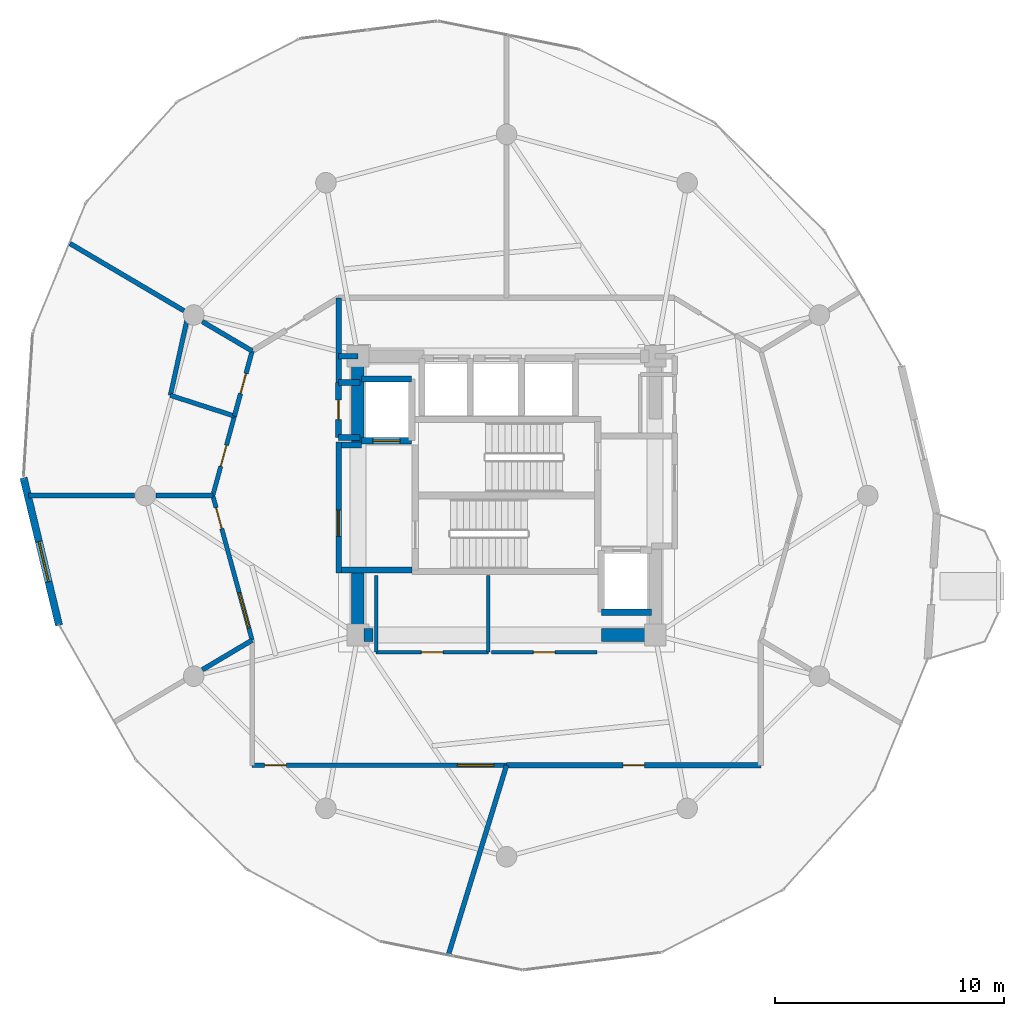
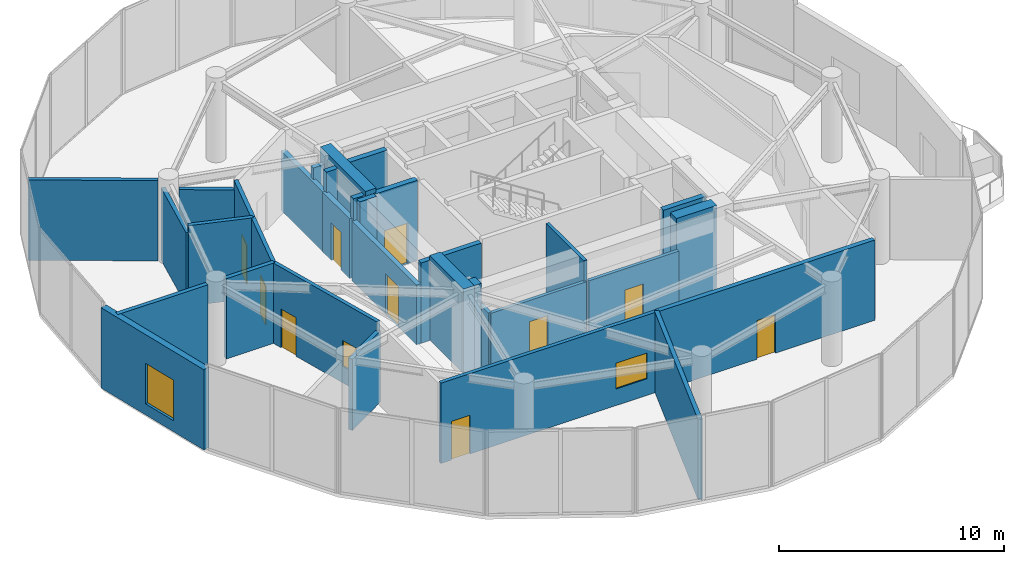
# One storey, part 19 of 23: 33 walls, 10 doors, 3 windows, 13 openings.
"""IFC4 building model written with IfcOpenShell, lengths in metres."""

from ifc_helpers import new_model, si_unit, direction, frame, frame_2d, origin, place, context, subcontext, project, spatial, rectangle, extrude, material, layer, layer_set, type_object, element, fill, save


model = new_model("IFC4")

# Units and contexts
model_context = context("Model", 3, precision=1e-05, world=origin(), true_north=direction((0.0, 1.0)))
body_context = subcontext(model_context, "Body", "Model", "MODEL_VIEW")
ifc_project = project(units=[si_unit("LENGTHUNIT", "METRE"), si_unit("AREAUNIT", "SQUARE_METRE"), si_unit("VOLUMEUNIT", "CUBIC_METRE"), si_unit("PLANEANGLEUNIT", "RADIAN"), si_unit("MASSUNIT", "GRAM", prefix="KILO")], contexts=[model_context])

# Site, building, storey
site_placement = place(None, origin())
site = spatial("IfcSite", under=ifc_project, at=site_placement, CompositionType="ELEMENT")
building_placement = place(site_placement, origin())
building = spatial("IfcBuilding", under=site, at=building_placement, Name="Solvirekh Grand Hotel", CompositionType="ELEMENT")
storey_placement = place(building_placement, frame((0.0, 0.0, 168.60009765625)))
storey = spatial("IfcBuildingStorey", under=building, at=storey_placement, Name="L43", CompositionType="ELEMENT", Elevation=168.60009765625)

# Wall, opening, door
ifc_material_1 = material(Name="Concrete C40/50", Category="concrete")
ifc_layer_1 = layer(ifc_material_1, 0.280029296875)
ifc_layer_set_1 = layer_set([ifc_layer_1], Name="Concrete C40/50")
wall_type_1 = type_object("IfcWallType", Name="CoreShaftWall_RC280", PredefinedType="SOLIDWALL", material=ifc_layer_set_1)
wall_1_placement = place(storey_placement, frame((-6.35009765625, 2.39990234375, 0.0), z_axis=(0.0, 0.0, 1.0), x_axis=(1.0, 0.0, 0.0)))
wall_1 = element("IfcWall", 1, at=wall_1_placement, inside=storey, type_object=wall_type_1, Name="L43 FL-1 hoistway S wall", PredefinedType="SOLIDWALL", context=body_context, shape_type="SweptSolid", body=[
    extrude(rectangle(XDim=2.2001953125, YDim=0.280029296875, at=frame_2d((1.10009765625, 0.0))), origin(), (0.0, 0.0, 1.0), 4.35986328125),
])
opening_1_placement = place(wall_1_placement, frame((0.5, 0.0, 0.0)))
opening_1 = element("IfcOpeningElement", 2, at=opening_1_placement, cuts=wall_1, Name="Opening LD02", PredefinedType="OPENING", context=body_context, shape_type="SweptSolid", body=[
    extrude(rectangle(XDim=1.199951171875, YDim=2.199951171875, at=frame_2d((0.60009765625, 1.10009765625))), frame((0.0, 0.14990234375, 0.0), z_axis=(0.0, -1.0, 0.0), x_axis=(1.0, 0.0, 0.0)), (0.0, 0.0, 1.0), 0.300048828125),
])
ifc_material_2 = material(Name="Fire-Rated Steel Door Assembly", Category="steel")
door_type_1 = type_object("IfcDoorType", Name="Door_LiftFF_1200X2200", OperationType="SLIDING_TO_LEFT", PredefinedType="DOOR", material=ifc_material_2)
door_1_placement = place(opening_1_placement, origin())
door_1 = element("IfcDoor", 3, at=door_1_placement, inside=storey, type_object=door_type_1, Name="L43 FL-1 sliding lift landing door", OperationType="SLIDING_TO_LEFT", OverallHeight=2.199951171875, OverallWidth=1.199951171875, PredefinedType="DOOR", context=body_context, shape_type="SweptSolid", body=[
    extrude(rectangle(XDim=1.199951171875, YDim=2.199951171875, at=frame_2d((0.60009765625, 1.10009765625))), frame((0.0, 0.02490234375, 0.0), z_axis=(0.0, -1.0, 0.0), x_axis=(1.0, 0.0, 0.0)), (0.0, 0.0, 1.0), 0.050048828125),
])
fill(opening_1, door_1)

# Walls
for number, where, z_axis, x_axis, name in (
    (4, (-4.14990234375, 5.10009765625, 0.0), (0.0, 0.0, 1.0), (-1.0, 0.0, 0.0), "L43 FL-1 hoistway N wall"),
    (5, (4.14990234375, -5.10009765625, 0.0), (0.0, 0.0, 1.0), (1.0, 0.0, 0.0), "L43 FL-2 hoistway S wall"),
):
    element("IfcWall", number, at=place(storey_placement, frame(where, z_axis=z_axis, x_axis=x_axis)), inside=storey, type_object=wall_type_1, Name=name, PredefinedType="SOLIDWALL", context=body_context, shape_type="SweptSolid", body=[
        extrude(rectangle(XDim=2.2001953125, YDim=0.280029296875, at=frame_2d((1.10009765625, 0.0))), origin(), (0.0, 0.0, 1.0), 4.35986328125),
    ])
ifc_material_3 = material(Name="Concrete C50/60", Category="concrete")
ifc_layer_2 = layer(ifc_material_3, 0.550048828125)
ifc_layer_set_2 = layer_set([ifc_layer_2], Name="Concrete C50/60")
wall_type_2 = type_object("IfcWallType", Name="CoreWall_RC550", PredefinedType="SHEAR", material=ifc_layer_set_2)
wall_2_placement = place(storey_placement, frame((-6.22509765625, -6.10009765625, 0.0), z_axis=(0.0, 0.0, 1.0), x_axis=(1.0, 0.0, 0.0)))
element("IfcWall", 6, at=wall_2_placement, inside=storey, type_object=wall_type_2, Name="L43 core corner shear wall SW-S", PredefinedType="SHEAR", context=body_context, shape_type="SweptSolid", body=[
    extrude(rectangle(XDim=0.375, YDim=0.550048828125, at=frame_2d((0.1875, 0.0))), origin(), (0.0, 0.0, 1.0), 4.599853515625),
])
wall_3_placement = place(storey_placement, frame((4.14990234375, -6.10009765625, 0.0), z_axis=(0.0, 0.0, 1.0), x_axis=(1.0, 0.0, 0.0)))
element("IfcWall", 7, at=wall_3_placement, inside=storey, type_object=wall_type_2, Name="L43 core corner shear wall SE-S", PredefinedType="SHEAR", context=body_context, shape_type="SweptSolid", body=[
    extrude(rectangle(XDim=2.0751953125, YDim=0.550048828125, at=frame_2d((1.03759765625, 0.0))), origin(), (0.0, 0.0, 1.0), 4.599853515625),
])
wall_4_placement = place(storey_placement, frame((-6.5, 2.35009765625, 0.0), z_axis=(0.0, 0.0, 1.0), x_axis=(0.0, 1.0, 0.0)))
element("IfcWall", 8, at=wall_4_placement, inside=storey, type_object=wall_type_2, Name="L43 core corner shear wall WN-W", PredefinedType="SHEAR", context=body_context, shape_type="SweptSolid", body=[
    extrude(rectangle(XDim=4.02490234375, YDim=0.550048828125, at=frame_2d((2.012451171875, 0.0))), origin(), (0.0, 0.0, 1.0), 4.599853515625),
])
wall_5_placement = place(storey_placement, frame((-6.5, -6.375, 0.0), z_axis=(0.0, 0.0, 1.0), x_axis=(0.0, 1.0, 0.0)))
element("IfcWall", 9, at=wall_5_placement, inside=storey, type_object=wall_type_2, Name="L43 core corner shear wall WS-W", PredefinedType="SHEAR", context=body_context, shape_type="SweptSolid", body=[
    extrude(rectangle(XDim=3.02490234375, YDim=0.550048828125, at=frame_2d((1.512451171875, 0.0))), origin(), (0.0, 0.0, 1.0), 4.599853515625),
])

# Wall, opening, window
ifc_material_4 = material(Name="Precast concrete C45/55", Category="concrete")
ifc_layer_3 = layer(ifc_material_4, 0.320068359375)
ifc_layer_set_3 = layer_set([ifc_layer_3], Name="Precast concrete C45/55")
wall_type_3 = type_object("IfcWallType", Name="ExtLobbyWall_RC320", PredefinedType="SOLIDWALL", material=ifc_layer_set_3)
wall_6_placement = place(storey_placement, frame((-19.575927734375, -5.675048828125, 0.0), z_axis=(0.0, 0.0, 1.0), x_axis=(-0.23383620468, 0.972276004734, 0.0)))
wall_6 = element("IfcWall", 10, at=wall_6_placement, inside=storey, type_object=wall_type_3, Name="L43 exterior structural wall chord 14", PredefinedType="SOLIDWALL", context=body_context, shape_type="SweptSolid", body=[
    extrude(rectangle(XDim=6.63720703125, YDim=0.320068359375, at=frame_2d((3.318603515625, 0.0))), origin(), (0.0, 0.0, 1.0), 4.35986328125),
])
opening_2_placement = place(wall_6_placement, frame((1.964111328125, 0.0, 0.60009765625)))
opening_2 = element("IfcOpeningElement", 11, at=opening_2_placement, cuts=wall_6, Name="Opening SK02", PredefinedType="OPENING", context=body_context, shape_type="SweptSolid", body=[
    extrude(rectangle(XDim=1.800048828125, YDim=2.199951171875, at=frame_2d((0.89990234375, 1.10009765625))), frame((0.0, 0.169921875, 0.0), z_axis=(0.0, -1.0, 0.0), x_axis=(1.0, 0.0, 0.0)), (0.0, 0.0, 1.0), 0.340087890625),
])
ifc_material_5 = material(Name="Champagne Low-Iron Crown Laminated Glass", Category="glass")
window_type_1 = type_object("IfcWindowType", Name="Skylight_Pod_1800X2200", PartitioningType="SINGLE_PANEL", PredefinedType="SKYLIGHT", material=ifc_material_5)
window_1_placement = place(opening_2_placement, origin())
window_1 = element("IfcWindow", 12, at=window_1_placement, inside=storey, type_object=window_type_1, Name="L43 high-level clerestory skylight 14", OverallHeight=2.199951171875, OverallWidth=1.800048828125, PartitioningType="SINGLE_PANEL", PredefinedType="SKYLIGHT", context=body_context, shape_type="SweptSolid", body=[
    extrude(rectangle(XDim=1.800048828125, YDim=2.199951171875, at=frame_2d((0.89990234375, 1.10009765625))), frame((0.0, 0.030029296875, 0.0), z_axis=(0.0, -1.0, 0.0), x_axis=(1.0, 0.0, 0.0)), (0.0, 0.0, 1.0), 0.06005859375),
])
fill(opening_2, window_1)

# Wall, opening, door
ifc_material_6 = material(Name="Acoustic Gypsum Partition Assembly")
ifc_layer_4 = layer(ifc_material_6, 0.1650390625)
ifc_layer_set_4 = layer_set([ifc_layer_4], Name="Acoustic Gypsum Partition Assembly")
wall_type_4 = type_object("IfcWallType", Name="Part_BOH_165", PredefinedType="PARTITIONING", material=ifc_layer_set_4)
wall_7_placement = place(storey_placement, frame((-5.699951171875, -6.85009765625, 0.0), z_axis=(0.0, 0.0, 1.0), x_axis=(1.0, 0.0, 0.0)))
wall_7 = element("IfcWall", 13, at=wall_7_placement, inside=storey, type_object=wall_type_4, Name="L43 High-Zone Housekeeping Linen Room wall 1", PredefinedType="PARTITIONING", context=body_context, shape_type="SweptSolid", body=[
    extrude(rectangle(XDim=4.89990234375, YDim=0.1650390625, at=frame_2d((2.449951171875, 0.0))), origin(), (0.0, 0.0, 1.0), 3.244873046875),
])
opening_3_placement = place(wall_7_placement, frame((1.97509765625, 0.0, 0.0)))
opening_3 = element("IfcOpeningElement", 14, at=opening_3_placement, cuts=wall_7, Name="Opening D10", PredefinedType="OPENING", context=body_context, shape_type="SweptSolid", body=[
    extrude(rectangle(XDim=0.949951171875, YDim=2.10009765625, at=frame_2d((0.47509765625, 1.050048828125))), frame((0.0, 0.092529296875, 0.0), z_axis=(0.0, -1.0, 0.0), x_axis=(1.0, 0.0, 0.0)), (0.0, 0.0, 1.0), 0.18505859375),
])
ifc_material_7 = material(Name="Anodized Bronze Aluminium 6063-T6", Category="aluminium")
door_type_2 = type_object("IfcDoorType", Name="Door_RoomInt_950X2100", OperationType="NOTDEFINED", PredefinedType="DOOR", material=ifc_material_7)
door_2_placement = place(opening_3_placement, origin())
door_2 = element("IfcDoor", 15, at=door_2_placement, inside=storey, type_object=door_type_2, Name="L43 High-Zone Housekeeping Linen Room door", OperationType="SINGLE_SWING_LEFT", OverallHeight=2.10009765625, OverallWidth=0.949951171875, PredefinedType="DOOR", context=body_context, shape_type="SweptSolid", body=[
    extrude(rectangle(XDim=0.949951171875, YDim=2.10009765625, at=frame_2d((0.47509765625, 1.050048828125))), frame((0.0, 0.02490234375, 0.0), z_axis=(0.0, -1.0, 0.0), x_axis=(1.0, 0.0, 0.0)), (0.0, 0.0, 1.0), 0.050048828125),
])
fill(opening_3, door_2)

# Walls
wall_8_placement = place(storey_placement, frame((-0.800048828125, -6.85009765625, 0.0), z_axis=(0.0, 0.0, 1.0), x_axis=(0.0, 1.0, 0.0)))
element("IfcWall", 16, at=wall_8_placement, inside=storey, type_object=wall_type_4, Name="L43 High-Zone Housekeeping Linen Room wall 2", PredefinedType="PARTITIONING", context=body_context, shape_type="SweptSolid", body=[
    extrude(rectangle(XDim=3.35009765625, YDim=0.1650390625, at=frame_2d((1.675048828125, 0.0))), origin(), (0.0, 0.0, 1.0), 4.35986328125),
])
wall_9_placement = place(storey_placement, frame((-5.699951171875, -3.5, 0.0), z_axis=(0.0, 0.0, 1.0), x_axis=(0.0, -1.0, 0.0)))
element("IfcWall", 17, at=wall_9_placement, inside=storey, type_object=wall_type_4, Name="L43 High-Zone Housekeeping Linen Room wall 4", PredefinedType="PARTITIONING", context=body_context, shape_type="SweptSolid", body=[
    extrude(rectangle(XDim=3.35009765625, YDim=0.1650390625, at=frame_2d((1.675048828125, 0.0))), origin(), (0.0, 0.0, 1.0), 3.244873046875),
])

# Wall, opening, door
wall_10_placement = place(storey_placement, frame((-0.64990234375, -6.85009765625, 0.0), z_axis=(0.0, 0.0, 1.0), x_axis=(1.0, 0.0, 0.0)))
wall_10 = element("IfcWall", 18, at=wall_10_placement, inside=storey, type_object=wall_type_4, Name="L43 Butler Valet Steward Room wall 1", PredefinedType="PARTITIONING", context=body_context, shape_type="SweptSolid", body=[
    extrude(rectangle(XDim=4.599853515625, YDim=0.1650390625, at=frame_2d((2.2998046875, 0.0))), origin(), (0.0, 0.0, 1.0), 3.244873046875),
])
opening_4_placement = place(wall_10_placement, frame((1.824951171875, 0.0, 0.0)))
opening_4 = element("IfcOpeningElement", 19, at=opening_4_placement, cuts=wall_10, Name="Opening D10", PredefinedType="OPENING", context=body_context, shape_type="SweptSolid", body=[
    extrude(rectangle(XDim=0.949951171875, YDim=2.10009765625, at=frame_2d((0.47509765625, 1.050048828125))), frame((0.0, 0.092529296875, 0.0), z_axis=(0.0, -1.0, 0.0), x_axis=(1.0, 0.0, 0.0)), (0.0, 0.0, 1.0), 0.18505859375),
])
door_3_placement = place(opening_4_placement, origin())
door_3 = element("IfcDoor", 20, at=door_3_placement, inside=storey, type_object=door_type_2, Name="L43 Butler Valet Steward Room door", OperationType="SINGLE_SWING_RIGHT", OverallHeight=2.10009765625, OverallWidth=0.949951171875, PredefinedType="DOOR", context=body_context, shape_type="SweptSolid", body=[
    extrude(rectangle(XDim=0.949951171875, YDim=2.10009765625, at=frame_2d((0.47509765625, 1.050048828125))), frame((0.0, 0.02490234375, 0.0), z_axis=(0.0, -1.0, 0.0), x_axis=(1.0, 0.0, 0.0)), (0.0, 0.0, 1.0), 0.050048828125),
])
fill(opening_4, door_3)

ifc_layer_5 = layer(ifc_material_6, 0.239990234375)
ifc_layer_set_5 = layer_set([ifc_layer_5], Name="Acoustic Gypsum Partition Assembly")
wall_type_5 = type_object("IfcWallType", Name="Part_Corridor_240", PredefinedType="PARTITIONING", material=ifc_layer_set_5)
wall_11_placement = place(storey_placement, frame((-7.35009765625, -3.3798828125, 0.0), z_axis=(0.0, 0.0, 1.0), x_axis=(0.0, 1.0, 0.0)))
wall_11 = element("IfcWall", 21, at=wall_11_placement, inside=storey, type_object=wall_type_5, Name="L43 west firefighting lobby smoke screen wall", PredefinedType="PARTITIONING", context=body_context, shape_type="SweptSolid", body=[
    extrude(rectangle(XDim=5.719970703125, YDim=0.239990234375, at=frame_2d((2.85986328125, 0.0))), origin(), (0.0, 0.0, 1.0), 3.244873046875),
])
opening_5_placement = place(wall_11_placement, frame((1.59912109375, 0.0, 0.0)))
opening_5 = element("IfcOpeningElement", 22, at=opening_5_placement, cuts=wall_11, Name="Opening D06", PredefinedType="OPENING", context=body_context, shape_type="SweptSolid", body=[
    extrude(rectangle(XDim=1.14990234375, YDim=2.199951171875, at=frame_2d((0.574951171875, 1.10009765625))), frame((0.0, 0.1298828125, 0.0), z_axis=(0.0, -1.0, 0.0), x_axis=(1.0, 0.0, 0.0)), (0.0, 0.0, 1.0), 0.260009765625),
])
door_type_3 = type_object("IfcDoorType", Name="Door_FFLobby_1150X2200", OperationType="NOTDEFINED", PredefinedType="DOOR", material=ifc_material_2)
door_4_placement = place(opening_5_placement, origin())
door_4 = element("IfcDoor", 23, at=door_4_placement, inside=storey, type_object=door_type_3, Name="L43 west firefighting lobby smoke door", OperationType="SINGLE_SWING_LEFT", OverallHeight=2.199951171875, OverallWidth=1.14990234375, PredefinedType="DOOR", context=body_context, shape_type="SweptSolid", body=[
    extrude(rectangle(XDim=1.14990234375, YDim=2.199951171875, at=frame_2d((0.574951171875, 1.10009765625))), frame((0.0, 0.02490234375, 0.0), z_axis=(0.0, -1.0, 0.0), x_axis=(1.0, 0.0, 0.0)), (0.0, 0.0, 1.0), 0.050048828125),
])
fill(opening_5, door_4)

# Walls
wall_12_placement = place(storey_placement, frame((-7.35009765625, 4.949951171875, 0.0), z_axis=(0.0, 0.0, 1.0), x_axis=(0.0, 1.0, 0.0)))
element("IfcWall", 24, at=wall_12_placement, inside=storey, type_object=wall_type_5, Name="L43 north lift lobby west wall", PredefinedType="PARTITIONING", context=body_context, shape_type="SweptSolid", body=[
    extrude(rectangle(XDim=3.699951171875, YDim=0.239990234375, at=frame_2d((1.85009765625, 0.0))), origin(), (0.0, 0.0, 1.0), 3.244873046875),
])
wall_13_placement = place(storey_placement, frame((-7.35009765625, 6.10009765625, 0.0), z_axis=(0.0, 0.0, 1.0), x_axis=(1.0, 0.0, 0.0)))
element("IfcWall", 25, at=wall_13_placement, inside=storey, type_object=wall_type_5, Name="L43 NW core corner closure wall", PredefinedType="PARTITIONING", context=body_context, shape_type="SweptSolid", body=[
    extrude(rectangle(XDim=0.85009765625, YDim=0.239990234375, at=frame_2d((0.425048828125, 0.0))), origin(), (0.0, 0.0, 1.0), 3.876953125),
])

# Wall, opening, door
wall_14_placement = place(storey_placement, frame((0.0, -11.800048828125, 0.0), z_axis=(0.0, 0.0, 1.0), x_axis=(1.0, 0.0, 0.0)))
wall_14 = element("IfcWall", 26, at=wall_14_placement, inside=storey, type_object=wall_type_5, Name="L43 L43 Butler Valet & Linen Steward Room corridor wall", PredefinedType="PARTITIONING", context=body_context, shape_type="SweptSolid", body=[
    extrude(rectangle(XDim=11.1279296875, YDim=0.239990234375, at=frame_2d((5.56396484375, 0.0))), origin(), (0.0, 0.0, 1.0), 4.35986328125),
])
opening_6_placement = place(wall_14_placement, frame((5.089111328125, 0.0, 0.0)))
opening_6 = element("IfcOpeningElement", 27, at=opening_6_placement, cuts=wall_14, Name="Opening D10", PredefinedType="OPENING", context=body_context, shape_type="SweptSolid", body=[
    extrude(rectangle(XDim=0.949951171875, YDim=2.10009765625, at=frame_2d((0.47509765625, 1.050048828125))), frame((0.0, 0.1298828125, 0.0), z_axis=(0.0, -1.0, 0.0), x_axis=(1.0, 0.0, 0.0)), (0.0, 0.0, 1.0), 0.260009765625),
])
door_5_placement = place(opening_6_placement, origin())
door_5 = element("IfcDoor", 28, at=door_5_placement, inside=storey, type_object=door_type_2, Name="L43 L43 Butler Valet & Linen Steward Room entrance door", OperationType="SINGLE_SWING_RIGHT", OverallHeight=2.10009765625, OverallWidth=0.949951171875, PredefinedType="DOOR", context=body_context, shape_type="SweptSolid", body=[
    extrude(rectangle(XDim=0.949951171875, YDim=2.10009765625, at=frame_2d((0.47509765625, 1.050048828125))), frame((0.0, 0.02490234375, 0.0), z_axis=(0.0, -1.0, 0.0), x_axis=(1.0, 0.0, 0.0)), (0.0, 0.0, 1.0), 0.050048828125),
])
fill(opening_6, door_5)

ifc_layer_6 = layer(ifc_material_6, 0.18994140625)
ifc_layer_set_6 = layer_set([ifc_layer_6], Name="Acoustic Gypsum Partition Assembly")
wall_type_6 = type_object("IfcWallType", Name="Part_GuestDemise_190", PredefinedType="PARTITIONING", material=ifc_layer_set_6)
wall_15_placement = place(storey_placement, frame((-11.903076171875, 3.47900390625, 0.0), z_axis=(0.0, 0.0, 1.0), x_axis=(-0.262653290471, -0.964890278221, 0.0)))
wall_15 = element("IfcWall", 29, at=wall_15_placement, inside=storey, type_object=wall_type_6, Name="L43 Upper Sky Cloakroom Salon corridor wall", PredefinedType="PARTITIONING", context=body_context, shape_type="SweptSolid", body=[
    extrude(rectangle(XDim=3.605712890625, YDim=0.18994140625, at=frame_2d((1.802734375, 0.0))), origin(), (0.0, 0.0, 1.0), 4.35986328125),
])
opening_7_placement = place(wall_15_placement, frame((1.327880859375, 0.0, 0.0)))
opening_7 = element("IfcOpeningElement", 30, at=opening_7_placement, cuts=wall_15, Name="Opening D10", PredefinedType="OPENING", context=body_context, shape_type="SweptSolid", body=[
    extrude(rectangle(XDim=0.949951171875, YDim=2.10009765625, at=frame_2d((0.47509765625, 1.050048828125))), frame((0.0, 0.10498046875, 0.0), z_axis=(0.0, -1.0, 0.0), x_axis=(1.0, 0.0, 0.0)), (0.0, 0.0, 1.0), 0.2099609375),
])
door_6_placement = place(opening_7_placement, origin())
door_6 = element("IfcDoor", 31, at=door_6_placement, inside=storey, type_object=door_type_2, Name="L43 Upper Sky Cloakroom Salon entrance door", OperationType="SINGLE_SWING_RIGHT", OverallHeight=2.10009765625, OverallWidth=0.949951171875, PredefinedType="DOOR", context=body_context, shape_type="SweptSolid", body=[
    extrude(rectangle(XDim=0.949951171875, YDim=2.10009765625, at=frame_2d((0.47509765625, 1.050048828125))), frame((0.0, 0.02490234375, 0.0), z_axis=(0.0, -1.0, 0.0), x_axis=(1.0, 0.0, 0.0)), (0.0, 0.0, 1.0), 0.050048828125),
])
fill(opening_7, door_6)

# Wall, openings, door, window
wall_16_placement = place(storey_placement, frame((-12.85009765625, 0.0, 0.0), z_axis=(0.0, 0.0, 1.0), x_axis=(0.262717156474, -0.964872890952, 0.0)))
wall_16 = element("IfcWall", 32, at=wall_16_placement, inside=storey, type_object=wall_type_6, Name="L43 High-Zone Library & Cigar Salon corridor wall", PredefinedType="PARTITIONING", context=body_context, shape_type="SweptSolid", body=[
    extrude(rectangle(XDim=6.55517578125, YDim=0.18994140625, at=frame_2d((3.277587890625, 0.0))), origin(), (0.0, 0.0, 1.0), 4.35986328125),
])
opening_8_placement = place(wall_16_placement, frame((0.550048828125, 0.0, 0.0)))
opening_8 = element("IfcOpeningElement", 33, at=opening_8_placement, cuts=wall_16, Name="Opening D10", PredefinedType="OPENING", context=body_context, shape_type="SweptSolid", body=[
    extrude(rectangle(XDim=0.949951171875, YDim=2.10009765625, at=frame_2d((0.47509765625, 1.050048828125))), frame((0.0, 0.10498046875, 0.0), z_axis=(0.0, -1.0, 0.0), x_axis=(1.0, 0.0, 0.0)), (0.0, 0.0, 1.0), 0.2099609375),
])
opening_9_placement = place(wall_16_placement, frame((4.405029296875, 0.0, 0.89990234375)))
opening_9 = element("IfcOpeningElement", 34, at=opening_9_placement, cuts=wall_16, Name="Opening W04", PredefinedType="OPENING", context=body_context, shape_type="SweptSolid", body=[
    extrude(rectangle(XDim=1.60009765625, YDim=1.39990234375, at=frame_2d((0.800048828125, 0.699951171875))), frame((0.0, 0.10498046875, 0.0), z_axis=(0.0, -1.0, 0.0), x_axis=(1.0, 0.0, 0.0)), (0.0, 0.0, 1.0), 0.2099609375),
])
door_7_placement = place(opening_8_placement, origin())
door_7 = element("IfcDoor", 35, at=door_7_placement, inside=storey, type_object=door_type_2, Name="L43 High-Zone Library & Cigar Salon entrance door", OperationType="SINGLE_SWING_LEFT", OverallHeight=2.10009765625, OverallWidth=0.949951171875, PredefinedType="DOOR", context=body_context, shape_type="SweptSolid", body=[
    extrude(rectangle(XDim=0.949951171875, YDim=2.10009765625, at=frame_2d((0.47509765625, 1.050048828125))), frame((0.0, 0.02490234375, 0.0), z_axis=(0.0, -1.0, 0.0), x_axis=(1.0, 0.0, 0.0)), (0.0, 0.0, 1.0), 0.050048828125),
])
fill(opening_8, door_7)
ifc_material_8 = material(Name="Fire-Rated Ceramic Glazing", Category="glass")
window_type_2 = type_object("IfcWindowType", Name="Win_ConfInt_1600X1400", PartitioningType="SINGLE_PANEL", PredefinedType="WINDOW", material=ifc_material_8)
window_2_placement = place(opening_9_placement, origin())
window_2 = element("IfcWindow", 36, at=window_2_placement, inside=storey, type_object=window_type_2, Name="L43 High-Zone Library & Cigar Salon interior glazed screen", OverallHeight=1.39990234375, OverallWidth=1.60009765625, PartitioningType="SINGLE_PANEL", PredefinedType="WINDOW", context=body_context, shape_type="SweptSolid", body=[
    extrude(rectangle(XDim=1.60009765625, YDim=1.39990234375, at=frame_2d((0.800048828125, 0.699951171875))), frame((0.0, 0.030029296875, 0.0), z_axis=(0.0, -1.0, 0.0), x_axis=(1.0, 0.0, 0.0)), (0.0, 0.0, 1.0), 0.06005859375),
])
fill(opening_9, window_2)

wall_17_placement = place(storey_placement, frame((-11.1279296875, -11.800048828125, 0.0), z_axis=(0.0, 0.0, 1.0), x_axis=(1.0, 0.0, 0.0)))
wall_17 = element("IfcWall", 37, at=wall_17_placement, inside=storey, type_object=wall_type_6, Name="L43 L43 Panoramic Belvedere Salon corridor wall", PredefinedType="PARTITIONING", context=body_context, shape_type="SweptSolid", body=[
    extrude(rectangle(XDim=11.1279296875, YDim=0.18994140625, at=frame_2d((5.56396484375, 0.0))), origin(), (0.0, 0.0, 1.0), 4.35986328125),
])
opening_10_placement = place(wall_17_placement, frame((0.550048828125, 0.0, 0.0)))
opening_10 = element("IfcOpeningElement", 38, at=opening_10_placement, cuts=wall_17, Name="Opening D10", PredefinedType="OPENING", context=body_context, shape_type="SweptSolid", body=[
    extrude(rectangle(XDim=0.949951171875, YDim=2.10009765625, at=frame_2d((0.47509765625, 1.050048828125))), frame((0.0, 0.10498046875, 0.0), z_axis=(0.0, -1.0, 0.0), x_axis=(1.0, 0.0, 0.0)), (0.0, 0.0, 1.0), 0.2099609375),
])
opening_11_placement = place(wall_17_placement, frame((8.97802734375, 0.0, 0.89990234375)))
opening_11 = element("IfcOpeningElement", 39, at=opening_11_placement, cuts=wall_17, Name="Opening W04", PredefinedType="OPENING", context=body_context, shape_type="SweptSolid", body=[
    extrude(rectangle(XDim=1.60009765625, YDim=1.39990234375, at=frame_2d((0.800048828125, 0.699951171875))), frame((0.0, 0.10498046875, 0.0), z_axis=(0.0, -1.0, 0.0), x_axis=(1.0, 0.0, 0.0)), (0.0, 0.0, 1.0), 0.2099609375),
])
door_8_placement = place(opening_10_placement, origin())
door_8 = element("IfcDoor", 40, at=door_8_placement, inside=storey, type_object=door_type_2, Name="L43 L43 Panoramic Belvedere Salon entrance door", OperationType="SINGLE_SWING_LEFT", OverallHeight=2.10009765625, OverallWidth=0.949951171875, PredefinedType="DOOR", context=body_context, shape_type="SweptSolid", body=[
    extrude(rectangle(XDim=0.949951171875, YDim=2.10009765625, at=frame_2d((0.47509765625, 1.050048828125))), frame((0.0, 0.02490234375, 0.0), z_axis=(0.0, -1.0, 0.0), x_axis=(1.0, 0.0, 0.0)), (0.0, 0.0, 1.0), 0.050048828125),
])
fill(opening_10, door_8)
window_3_placement = place(opening_11_placement, origin())
window_3 = element("IfcWindow", 41, at=window_3_placement, inside=storey, type_object=window_type_2, Name="L43 L43 Panoramic Belvedere Salon interior glazed screen", OverallHeight=1.39990234375, OverallWidth=1.60009765625, PartitioningType="SINGLE_PANEL", PredefinedType="WINDOW", context=body_context, shape_type="SweptSolid", body=[
    extrude(rectangle(XDim=1.60009765625, YDim=1.39990234375, at=frame_2d((0.800048828125, 0.699951171875))), frame((0.0, 0.030029296875, 0.0), z_axis=(0.0, -1.0, 0.0), x_axis=(1.0, 0.0, 0.0)), (0.0, 0.0, 1.0), 0.06005859375),
])
fill(opening_11, window_3)

# Walls
ifc_layer_7 = layer(ifc_material_6, 0.260009765625)
ifc_layer_set_7 = layer_set([ifc_layer_7], Name="Acoustic Gypsum Partition Assembly")
wall_type_7 = type_object("IfcWallType", Name="Part_LobbyFF_260", PredefinedType="PARTITIONING", material=ifc_layer_set_7)
wall_18_placement = place(storey_placement, frame((-7.22509765625, -3.25, 0.0), z_axis=(0.0, 0.0, 1.0), x_axis=(1.0, 0.0, 0.0)))
element("IfcWall", 42, at=wall_18_placement, inside=storey, type_object=wall_type_7, Name="L43 west firefighting lobby south partition", PredefinedType="PARTITIONING", context=body_context, shape_type="SweptSolid", body=[
    extrude(rectangle(XDim=3.09521484375, YDim=0.260009765625, at=frame_2d((1.547607421875, 0.0))), origin(), (0.0, 0.0, 1.0), 4.35986328125),
])
wall_19_placement = place(storey_placement, frame((-7.22509765625, 2.2099609375, 0.0), z_axis=(0.0, 0.0, 1.0), x_axis=(1.0, 0.0, 0.0)))
element("IfcWall", 43, at=wall_19_placement, inside=storey, type_object=wall_type_7, Name="L43 west firefighting lobby NW cheek", PredefinedType="PARTITIONING", context=body_context, shape_type="SweptSolid", body=[
    extrude(rectangle(XDim=0.875, YDim=0.260009765625, at=frame_2d((0.4375, 0.0))), origin(), (0.0, 0.0, 1.0), 4.35986328125),
])
for number, where, z_axis, x_axis, name in (
    (44, (-7.35009765625, 4.949951171875, 0.0), (0.0, 0.0, 1.0), (1.0, 0.0, 0.0), "L43 NW telecom metering cupboard north wall"),
    (45, (-7.35009765625, 2.550048828125, 0.0), (0.0, 0.0, 1.0), (1.0, 0.0, 0.0), "L43 NW telecom metering cupboard south wall"),
):
    element("IfcWall", number, at=place(storey_placement, frame(where, z_axis=z_axis, x_axis=x_axis)), inside=storey, type_object=wall_type_7, Name=name, PredefinedType="PARTITIONING", context=body_context, shape_type="SweptSolid", body=[
        extrude(rectangle(XDim=0.93017578125, YDim=0.260009765625, at=frame_2d((0.465087890625, 0.0))), origin(), (0.0, 0.0, 1.0), 4.35986328125),
    ])

# Wall, opening, door
wall_20_placement = place(storey_placement, frame((-7.35009765625, 2.550048828125, 0.0), z_axis=(0.0, 0.0, 1.0), x_axis=(0.0, 1.0, 0.0)))
wall_20 = element("IfcWall", 46, at=wall_20_placement, inside=storey, type_object=wall_type_7, Name="L43 NW telecom metering cupboard access wall", PredefinedType="PARTITIONING", context=body_context, shape_type="SweptSolid", body=[
    extrude(rectangle(XDim=2.39990234375, YDim=0.260009765625, at=frame_2d((1.199951171875, 0.0))), origin(), (0.0, 0.0, 1.0), 3.244873046875),
])
opening_12_placement = place(wall_20_placement, frame((0.77490234375, 0.0, 0.0)))
opening_12 = element("IfcOpeningElement", 47, at=opening_12_placement, cuts=wall_20, Name="Opening D13", PredefinedType="OPENING", context=body_context, shape_type="SweptSolid", body=[
    extrude(rectangle(XDim=0.85009765625, YDim=2.050048828125, at=frame_2d((0.425048828125, 1.02490234375))), frame((0.0, 0.14013671875, 0.0), z_axis=(0.0, -1.0, 0.0), x_axis=(1.0, 0.0, 0.0)), (0.0, 0.0, 1.0), 0.280029296875),
])
door_type_4 = type_object("IfcDoorType", Name="Door_RiserShaft_850X2050", OperationType="NOTDEFINED", PredefinedType="DOOR", material=ifc_material_2)
door_9_placement = place(opening_12_placement, origin())
door_9 = element("IfcDoor", 48, at=door_9_placement, inside=storey, type_object=door_type_4, Name="L43 telecom metering cupboard access door", OperationType="SINGLE_SWING_LEFT", OverallHeight=2.050048828125, OverallWidth=0.85009765625, PredefinedType="DOOR", context=body_context, shape_type="SweptSolid", body=[
    extrude(rectangle(XDim=0.85009765625, YDim=2.050048828125, at=frame_2d((0.425048828125, 1.02490234375))), frame((0.0, 0.02490234375, 0.0), z_axis=(0.0, -1.0, 0.0), x_axis=(1.0, 0.0, 0.0)), (0.0, 0.0, 1.0), 0.050048828125),
])
fill(opening_12, door_9)

# Walls
ifc_layer_8 = layer(ifc_material_6, 0.2099609375)
ifc_layer_set_8 = layer_set([ifc_layer_8], Name="Acoustic Gypsum Partition Assembly")
wall_type_8 = type_object("IfcWallType", Name="Part_SuiteDemise_210", PredefinedType="PARTITIONING", material=ifc_layer_set_8)
wall_21_placement = place(storey_placement, frame((-11.1279296875, 6.324951171875, 0.0), z_axis=(0.0, 0.0, 1.0), x_axis=(-0.861259983765, 0.508164579998, 0.0)))
element("IfcWall", 49, at=wall_21_placement, inside=storey, type_object=wall_type_8, Name="L43 radial demising wall 6 (A)", PredefinedType="PARTITIONING", context=body_context, shape_type="SweptSolid", body=[
    extrude(rectangle(XDim=2.53466796875, YDim=0.2099609375, at=frame_2d((1.267333984375, 0.0))), origin(), (0.0, 0.0, 1.0), 3.876953125),
])
wall_22_placement = place(storey_placement, frame((-14.114013671875, 8.0869140625, 0.0), z_axis=(0.0, 0.0, 1.0), x_axis=(-0.861346971608, 0.508017120284, 0.0)))
element("IfcWall", 50, at=wall_22_placement, inside=storey, type_object=wall_type_8, Name="L43 radial demising wall 6 (B)", PredefinedType="PARTITIONING", context=body_context, shape_type="SweptSolid", body=[
    extrude(rectangle(XDim=5.78759765625, YDim=0.2099609375, at=frame_2d((2.893798828125, 0.0))), origin(), (0.0, 0.0, 1.0), 4.35986328125),
])
wall_23_placement = place(storey_placement, frame((-12.85009765625, 0.0, 0.0), z_axis=(0.0, 0.0, 1.0), x_axis=(-1.0, 0.0, 0.0)))
element("IfcWall", 51, at=wall_23_placement, inside=storey, type_object=wall_type_8, Name="L43 radial demising wall 7 (A)", PredefinedType="PARTITIONING", context=body_context, shape_type="SweptSolid", body=[
    extrude(rectangle(XDim=2.47998046875, YDim=0.2099609375, at=frame_2d((1.239990234375, 0.0))), origin(), (0.0, 0.0, 1.0), 4.35986328125),
])
wall_24_placement = place(storey_placement, frame((-16.27001953125, 0.0, 0.0), z_axis=(0.0, 0.0, 1.0), x_axis=(-1.0, 0.0, 0.0)))
element("IfcWall", 52, at=wall_24_placement, inside=storey, type_object=wall_type_8, Name="L43 radial demising wall 7 (B)", PredefinedType="PARTITIONING", context=body_context, shape_type="SweptSolid", body=[
    extrude(rectangle(XDim=4.630859375, YDim=0.2099609375, at=frame_2d((2.3154296875, 0.0))), origin(), (0.0, 0.0, 1.0), 4.35986328125),
])
wall_25_placement = place(storey_placement, frame((-11.1279296875, -6.324951171875, 0.0), z_axis=(0.0, 0.0, 1.0), x_axis=(-0.85972118737, -0.510763624377, 0.0)))
element("IfcWall", 53, at=wall_25_placement, inside=storey, type_object=wall_type_8, Name="L43 radial demising wall 8 (A)", PredefinedType="PARTITIONING", context=body_context, shape_type="SweptSolid", body=[
    extrude(rectangle(XDim=2.533447265625, YDim=0.2099609375, at=frame_2d((1.2666015625, 0.0))), origin(), (0.0, 0.0, 1.0), 3.876953125),
])
wall_26_placement = place(storey_placement, frame((0.0, -11.800048828125, 0.0), z_axis=(0.0, 0.0, 1.0), x_axis=(-0.293194775158, -0.956052730669, 0.0)))
element("IfcWall", 54, at=wall_26_placement, inside=storey, type_object=wall_type_8, Name="L43 L43 Panoramic Belvedere Salon dividing partition 1", PredefinedType="PARTITIONING", context=body_context, shape_type="SweptSolid", body=[
    extrude(rectangle(XDim=8.645751953125, YDim=0.2099609375, at=frame_2d((4.32275390625, 0.0))), origin(), (0.0, 0.0, 1.0), 4.35986328125),
])

# Wall, opening, door
ifc_layer_9 = layer(ifc_material_6, 0.199951171875)
ifc_layer_set_9 = layer_set([ifc_layer_9], Name="Acoustic Gypsum Partition Assembly")
wall_type_9 = type_object("IfcWallType", Name="Plumb_PublicWC_200", PredefinedType="PLUMBINGWALL", material=ifc_layer_set_9)
wall_27_placement = place(storey_placement, frame((-11.1279296875, 6.324951171875, 0.0), z_axis=(0.0, 0.0, 1.0), x_axis=(-0.262795224233, -0.964851631144, 0.0)))
wall_27 = element("IfcWall", 55, at=wall_27_placement, inside=storey, type_object=wall_type_9, Name="L43 Upper Sky Lobby Accessible WC corridor wall", PredefinedType="PLUMBINGWALL", context=body_context, shape_type="SweptSolid", body=[
    extrude(rectangle(XDim=2.94970703125, YDim=0.199951171875, at=frame_2d((1.474853515625, 0.0))), origin(), (0.0, 0.0, 1.0), 4.35986328125),
])
opening_13_placement = place(wall_27_placement, frame((1.02490234375, 0.0, 0.0)))
opening_13 = element("IfcOpeningElement", 56, at=opening_13_placement, cuts=wall_27, Name="Opening D09", PredefinedType="OPENING", context=body_context, shape_type="SweptSolid", body=[
    extrude(rectangle(XDim=0.89990234375, YDim=2.10009765625, at=frame_2d((0.449951171875, 1.050048828125))), frame((0.0, 0.10986328125, 0.0), z_axis=(0.0, -1.0, 0.0), x_axis=(1.0, 0.0, 0.0)), (0.0, 0.0, 1.0), 0.219970703125),
])
door_type_5 = type_object("IfcDoorType", Name="Door_Ensuite_900X2100", OperationType="NOTDEFINED", PredefinedType="DOOR", material=ifc_material_7)
door_10_placement = place(opening_13_placement, origin())
door_10 = element("IfcDoor", 57, at=door_10_placement, inside=storey, type_object=door_type_5, Name="L43 Upper Sky Lobby Accessible WC entrance door", OperationType="SINGLE_SWING_LEFT", OverallHeight=2.10009765625, OverallWidth=0.89990234375, PredefinedType="DOOR", context=body_context, shape_type="SweptSolid", body=[
    extrude(rectangle(XDim=0.89990234375, YDim=2.10009765625, at=frame_2d((0.449951171875, 1.050048828125))), frame((0.0, 0.02490234375, 0.0), z_axis=(0.0, -1.0, 0.0), x_axis=(1.0, 0.0, 0.0)), (0.0, 0.0, 1.0), 0.050048828125),
])
fill(opening_13, door_10)

# Walls
wall_28_placement = place(storey_placement, frame((-13.91796875, 7.970947265625, 0.0), z_axis=(0.0, 0.0, 1.0), x_axis=(-0.214339227221, -0.976759282359, 0.0)))
element("IfcWall", 58, at=wall_28_placement, inside=storey, type_object=wall_type_9, Name="L43 Upper Sky Lobby Accessible WC outer plumbing wall", PredefinedType="PLUMBINGWALL", context=body_context, shape_type="SweptSolid", body=[
    extrude(rectangle(XDim=3.67236328125, YDim=0.199951171875, at=frame_2d((1.836181640625, 0.0))), origin(), (0.0, 0.0, 1.0), 3.928955078125),
])
wall_29_placement = place(storey_placement, frame((-11.903076171875, 3.47900390625, 0.0), z_axis=(0.0, 0.0, 1.0), x_axis=(-0.951593676243, 0.307358870596, 0.0)))
element("IfcWall", 59, at=wall_29_placement, inside=storey, type_object=wall_type_9, Name="L43 Upper Sky Lobby Accessible WC dividing plumbing wall", PredefinedType="PLUMBINGWALL", context=body_context, shape_type="SweptSolid", body=[
    extrude(rectangle(XDim=2.944580078125, YDim=0.199951171875, at=frame_2d((1.47216796875, 0.0))), origin(), (0.0, 0.0, 1.0), 4.35986328125),
])

save(model, "model.ifc")
